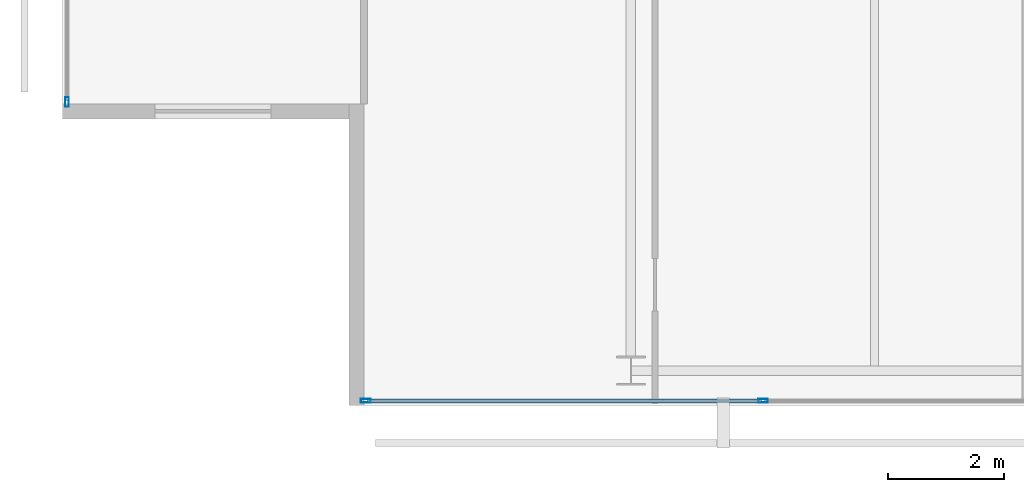
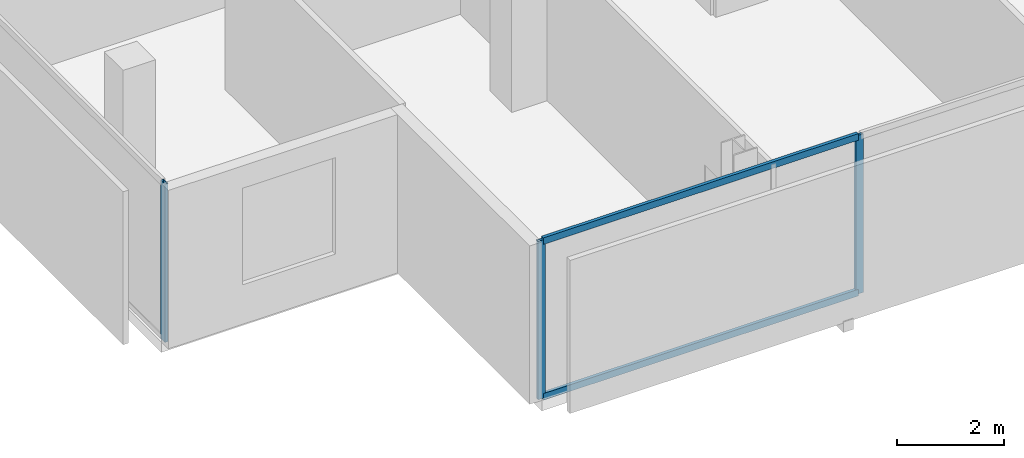
# One storey, part 2 of 26: 5 members, 2 elements without a shape of their own.
"""IFC4 building model written with IfcOpenShell, lengths in metres."""

from ifc_helpers import new_model, si_unit, direction, frame, origin, origin_2d, place, context, subcontext, project, spatial, hollow_rectangle, extrude, material, layer, layer_set, material_profile, profile_set, type_object, element, aggregate, save


model = new_model("IFC4")

# Units and contexts
model_context = context("Model", 3, precision=1e-05, world=origin(), true_north=direction((0.0, 1.0)))
body_context = subcontext(model_context, "Body", "Model", "MODEL_VIEW")
ifc_project = project(units=[si_unit("LENGTHUNIT", "METRE"), si_unit("AREAUNIT", "SQUARE_METRE"), si_unit("VOLUMEUNIT", "CUBIC_METRE"), si_unit("PLANEANGLEUNIT", "RADIAN"), si_unit("MASSUNIT", "GRAM", prefix="KILO")], contexts=[model_context])

# Site, building, storey
site_placement = place(None, origin())
site = spatial("IfcSite", under=ifc_project, at=site_placement, CompositionType="ELEMENT")
building_placement = place(site_placement, origin())
building = spatial("IfcBuilding", under=site, at=building_placement, Name="Maruvema Waterfront Hotel and Observation Tower", CompositionType="ELEMENT")
storey_placement = place(building_placement, frame((0.0, 0.0, 301.0)))
storey = spatial("IfcBuildingStorey", under=building, at=storey_placement, Name="L74", CompositionType="ELEMENT", Elevation=301.0)

# Curtain wall, members
ifc_material_1 = material(Name="Anodised bronze aluminium and solar-control low-E IGU", Category="aluminium")
ifc_layer = layer(ifc_material_1, 0.159912109375, Name="Zone 3 Champagne Inner Thermal Curtain Wall System CW-04")
ifc_layer_set = layer_set([ifc_layer], Name="Anodised bronze aluminium and solar-control low-E IGU")
curtain_wall_type = type_object("IfcCurtainWallType", Name="Zone 3 Champagne Inner Thermal Curtain Wall System CW-04", PredefinedType="USERDEFINED", material=ifc_layer_set)
curtain_wall_1_placement = place(storey_placement, origin())
curtain_wall_1 = element("IfcCurtainWall", 1, at=curtain_wall_1_placement, inside=storey, type_object=curtain_wall_type, Name="L74 Curtain Wall CW-L74-S", ObjectType="UNITISED CURTAIN WALL", PredefinedType="USERDEFINED")
ifc_material_2 = material(Name="Anodised architectural bronze aluminium", Category="aluminium")
ifc_material_profile_1 = material_profile(ifc_material_2, hollow_rectangle(XDim=0.070068359375, YDim=0.14990234375, WallThickness=0.00390625, at=origin_2d()), Name="ALU-T70x150")
ifc_profile_set_1 = profile_set([ifc_material_profile_1], Name="Anodised architectural bronze aluminium")
member_type_1 = type_object("IfcMemberType", Name="Curtain Wall Horizontal Transom ALU-T70x150", PredefinedType="USERDEFINED", material=ifc_profile_set_1)
member_1_placement = place(storey_placement, frame((20.659912109375, 9.280029296875, 0.030029296875), z_axis=(1.0, 0.0, 0.0), x_axis=(0.0, 1.0, 0.0)))
member_1 = element("IfcMember", 2, at=member_1_placement, type_object=member_type_1, Name="CW-04 transom 1.1", ObjectType="TRANSOM", PredefinedType="USERDEFINED", context=body_context, shape_type="SweptSolid", body=[
    extrude(hollow_rectangle(XDim=0.070068359375, YDim=0.14990234375, WallThickness=0.00390625, at=origin_2d()), origin(), (0.0, 0.0, 1.0), 6.7900390625),
])
member_2_placement = place(storey_placement, frame((20.659912109375, 9.280029296875, 3.580078125), z_axis=(1.0, 0.0, 0.0), x_axis=(0.0, 1.0, 0.0)))
member_2 = element("IfcMember", 3, at=member_2_placement, type_object=member_type_1, Name="CW-04 transom 1.2", ObjectType="TRANSOM", PredefinedType="USERDEFINED", context=body_context, shape_type="SweptSolid", body=[
    extrude(hollow_rectangle(XDim=0.070068359375, YDim=0.14990234375, WallThickness=0.00390625, at=origin_2d()), origin(), (0.0, 0.0, 1.0), 6.7900390625),
])
ifc_material_3 = material(Name="Anodised architectural bronze aluminium", Category="aluminium")
ifc_material_profile_2 = material_profile(ifc_material_3, hollow_rectangle(XDim=0.06494140625, YDim=0.1650390625, WallThickness=0.00390625, at=origin_2d()), Name="ALU-M65x165")
ifc_profile_set_2 = profile_set([ifc_material_profile_2], Name="Anodised architectural bronze aluminium")
member_type_2 = type_object("IfcMemberType", Name="Curtain Wall Primary Mullion ALU-M65x165", PredefinedType="MULLION", material=ifc_profile_set_2)
member_3_placement = place(storey_placement, frame((20.6298828125, 9.280029296875, 0.0), z_axis=(0.0, 0.0, 1.0), x_axis=(0.0, 1.0, 0.0)))
member_3 = element("IfcMember", 4, at=member_3_placement, type_object=member_type_2, Name="CW-04 mullion 1", PredefinedType="MULLION", context=body_context, shape_type="SweptSolid", body=[
    extrude(hollow_rectangle(XDim=0.06494140625, YDim=0.1650390625, WallThickness=0.00390625, at=origin_2d()), origin(), (0.0, 0.0, 1.0), 3.610107421875),
])
member_4_placement = place(storey_placement, frame((27.47998046875, 9.280029296875, 0.0), z_axis=(0.0, 0.0, 1.0), x_axis=(0.0, 1.0, 0.0)))
member_4 = element("IfcMember", 5, at=member_4_placement, type_object=member_type_2, Name="CW-04 mullion 2", PredefinedType="MULLION", context=body_context, shape_type="SweptSolid", body=[
    extrude(hollow_rectangle(XDim=0.06494140625, YDim=0.1650390625, WallThickness=0.00390625, at=origin_2d()), origin(), (0.0, 0.0, 1.0), 3.610107421875),
])
aggregate(curtain_wall_1, [member_3, member_4, member_1, member_2])

# Curtain wall, member
curtain_wall_2_placement = place(storey_placement, origin())
curtain_wall_2 = element("IfcCurtainWall", 6, at=curtain_wall_2_placement, inside=storey, type_object=curtain_wall_type, Name="L74 Curtain Wall CW-L74-W", ObjectType="UNITISED CURTAIN WALL", PredefinedType="USERDEFINED")
member_5_placement = place(storey_placement, frame((15.47998046875, 14.429931640625, 0.0), z_axis=(0.0, 0.0, 1.0), x_axis=(1.0, 0.0, 0.0)))
member_5 = element("IfcMember", 7, at=member_5_placement, type_object=member_type_2, Name="CW-04 mullion 6", PredefinedType="MULLION", context=body_context, shape_type="SweptSolid", body=[
    extrude(hollow_rectangle(XDim=0.06494140625, YDim=0.1650390625, WallThickness=0.00390625, at=origin_2d()), origin(), (0.0, 0.0, 1.0), 3.610107421875),
])
aggregate(curtain_wall_2, [member_5])

save(model, "model.ifc")
